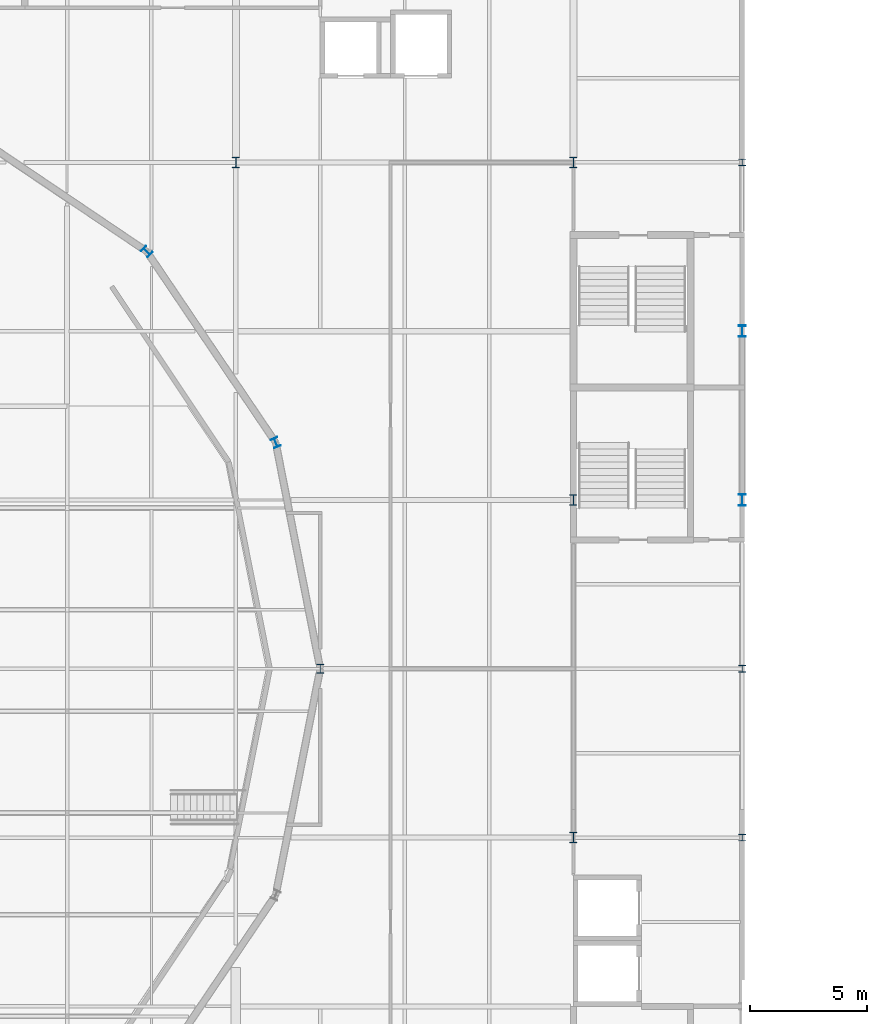
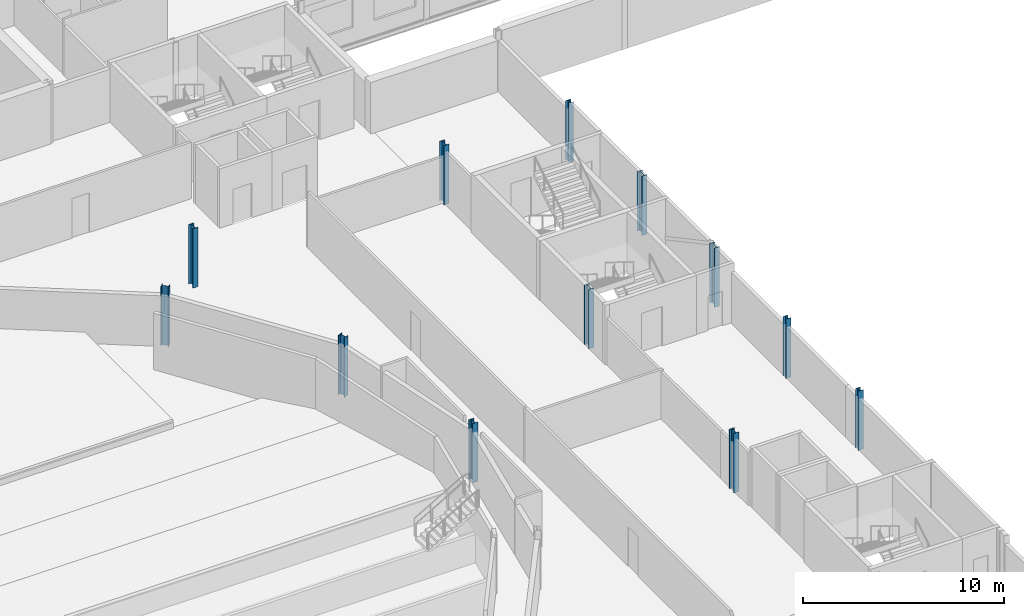
# One storey, part 12 of 90: 12 columns.
"""IFC4 building model written with IfcOpenShell, lengths in metres."""

from ifc_helpers import new_model, si_unit, direction, frame, origin, origin_2d, place, context, subcontext, project, spatial, i_section, extrude, material, material_profile, profile_set, type_object, element, save


model = new_model("IFC4")

# Units and contexts
model_context = context("Model", 3, precision=1e-05, world=origin(), true_north=direction((0.0, 1.0)))
body_context = subcontext(model_context, "Body", "Model", "MODEL_VIEW")
ifc_project = project(units=[si_unit("LENGTHUNIT", "METRE"), si_unit("AREAUNIT", "SQUARE_METRE"), si_unit("VOLUMEUNIT", "CUBIC_METRE"), si_unit("PLANEANGLEUNIT", "RADIAN"), si_unit("MASSUNIT", "GRAM", prefix="KILO")], contexts=[model_context])

# Site, building, storey
site_placement = place(None, origin())
site = spatial("IfcSite", under=ifc_project, at=site_placement, CompositionType="ELEMENT")
building_placement = place(site_placement, origin())
building = spatial("IfcBuilding", under=site, at=building_placement, Name="Kupolbacken Congress Centre", CompositionType="ELEMENT")
storey_placement = place(building_placement, frame((0.0, 0.0, 3.60009765625)))
storey = spatial("IfcBuildingStorey", under=building, at=storey_placement, Name="L01", CompositionType="ELEMENT", Elevation=3.60009765625)

# Columns
ifc_material_1 = material(Name="Steel S355", Category="steel")
ifc_material_profile_1 = material_profile(ifc_material_1, i_section(OverallWidth=0.300048828125, OverallDepth=0.449951171875, WebThickness=0.013916015625, FlangeThickness=0.02587890625, FilletRadius=0.027099609375, at=origin_2d()), Name="HEB 450")
ifc_profile_set_1 = profile_set([ifc_material_profile_1], Name="Steel S355")
column_type_1 = type_object("IfcColumnType", Name="C03 column HEB 450", PredefinedType="COLUMN", material=ifc_profile_set_1)
for number, where, z_axis, x_axis, name in (
    (1, (79.199951171875, 79.199951171875, 0.0), (0.0, 0.0, 1.0), (1.0, 0.0, 0.0), "S/col/C-P-12M/L01"),
    (2, (79.199951171875, 93.60009765625, 0.0), (0.0, 0.0, 1.0), (1.0, 0.0, 0.0), "S/col/C-P-12P/L01"),
    (3, (79.199951171875, 108.0, 0.0), (0.0, 0.0, 1.0), (1.0, 0.0, 0.0), "S/col/C-P-12R/L01"),
    (4, (64.800048828125, 108.0, 0.0), (0.0, 0.0, 1.0), (1.0, 0.0, 0.0), "S/col/C-P-10R/L01"),
):
    element("IfcColumn", number, at=place(storey_placement, frame(where, z_axis=z_axis, x_axis=x_axis)), inside=storey, type_object=column_type_1, Name=name, PredefinedType="COLUMN", context=body_context, shape_type="SweptSolid", body=[
        extrude(i_section(OverallWidth=0.300048828125, OverallDepth=0.449951171875, WebThickness=0.013916015625, FlangeThickness=0.02587890625, FilletRadius=0.027099609375, at=origin_2d()), origin(), (0.0, 0.0, 1.0), 3.599853515625),
    ])
ifc_material_2 = material(Name="Steel S355", Category="steel")
ifc_material_profile_2 = material_profile(ifc_material_2, i_section(OverallWidth=0.300048828125, OverallDepth=0.39990234375, WebThickness=0.013427734375, FlangeThickness=0.02392578125, FilletRadius=0.027099609375, at=origin_2d()), Name="HEB 400")
ifc_profile_set_2 = profile_set([ifc_material_profile_2], Name="Steel S355")
column_type_2 = type_object("IfcColumnType", Name="C08 column HEB 400", PredefinedType="COLUMN", material=ifc_profile_set_2)
for number, where, z_axis, x_axis, name in (
    (5, (68.39990234375, 86.39990234375, 0.0), (0.0, 0.0, 1.0), (1.0, 0.0, 0.0), "S/col/C-D01/L01"),
    (6, (66.5, 96.050048828125, 0.0), (0.0, 0.0, 1.0), (0.923896018243, 0.382643629864, 0.0), "S/col/C-D02/L01"),
    (7, (61.0, 104.199951171875, 0.0), (0.0, 0.0, 1.0), (0.707106781187, 0.707106781187, 0.0), "S/col/C-D03/L01"),
):
    element("IfcColumn", number, at=place(storey_placement, frame(where, z_axis=z_axis, x_axis=x_axis)), inside=storey, type_object=column_type_2, Name=name, PredefinedType="COLUMN", context=body_context, shape_type="SweptSolid", body=[
        extrude(i_section(OverallWidth=0.300048828125, OverallDepth=0.39990234375, WebThickness=0.013427734375, FlangeThickness=0.02392578125, FilletRadius=0.027099609375, at=origin_2d()), origin(), (0.0, 0.0, 1.0), 3.599853515625),
    ])
ifc_material_3 = material(Name="Steel S355", Category="steel")
ifc_material_profile_3 = material_profile(ifc_material_3, i_section(OverallWidth=0.300048828125, OverallDepth=0.2900390625, WebThickness=0.008544921875, FlangeThickness=0.013916015625, FilletRadius=0.027099609375, at=origin_2d()), Name="HEA 300")
ifc_profile_set_3 = profile_set([ifc_material_profile_3], Name="Steel S355")
column_type_3 = type_object("IfcColumnType", Name="C09 column HEA 300", PredefinedType="COLUMN", material=ifc_profile_set_3)
for number, where, z_axis, x_axis, name in (
    (8, (86.39990234375, 79.199951171875, 0.0), (0.0, 0.0, 1.0), (1.0, 0.0, 0.0), "S/col/C-H-PW06/L01"),
    (9, (86.39990234375, 86.39990234375, 0.0), (0.0, 0.0, 1.0), (1.0, 0.0, 0.0), "S/col/C-H-PW07/L01"),
    (10, (86.39990234375, 108.0, 0.0), (0.0, 0.0, 1.0), (1.0, 0.0, 0.0), "S/col/C-H-PW10/L01"),
):
    element("IfcColumn", number, at=place(storey_placement, frame(where, z_axis=z_axis, x_axis=x_axis)), inside=storey, type_object=column_type_3, Name=name, PredefinedType="COLUMN", context=body_context, shape_type="SweptSolid", body=[
        extrude(i_section(OverallWidth=0.300048828125, OverallDepth=0.2900390625, WebThickness=0.008544921875, FlangeThickness=0.013916015625, FilletRadius=0.027099609375, at=origin_2d()), origin(), (0.0, 0.0, 1.0), 3.599853515625),
    ])
ifc_material_4 = material(Name="Steel S355", Category="steel")
ifc_material_profile_4 = material_profile(ifc_material_4, i_section(OverallWidth=0.300048828125, OverallDepth=0.489990234375, WebThickness=0.011962890625, FlangeThickness=0.02294921875, FilletRadius=0.027099609375, at=origin_2d()), Name="HEA 500")
ifc_profile_set_4 = profile_set([ifc_material_profile_4], Name="Steel S355")
column_type_4 = type_object("IfcColumnType", Name="C14 column HEA 500", PredefinedType="COLUMN", material=ifc_profile_set_4)
for number, where, z_axis, x_axis, name in (
    (11, (86.39990234375, 93.60009765625, 0.0), (0.0, 0.0, 1.0), (1.0, 0.0, 0.0), "S/col/C-H-PW08/L01"),
    (12, (86.39990234375, 100.800048828125, 0.0), (0.0, 0.0, 1.0), (1.0, 0.0, 0.0), "S/col/C-H-PW09/L01"),
):
    element("IfcColumn", number, at=place(storey_placement, frame(where, z_axis=z_axis, x_axis=x_axis)), inside=storey, type_object=column_type_4, Name=name, PredefinedType="COLUMN", context=body_context, shape_type="SweptSolid", body=[
        extrude(i_section(OverallWidth=0.300048828125, OverallDepth=0.489990234375, WebThickness=0.011962890625, FlangeThickness=0.02294921875, FilletRadius=0.027099609375, at=origin_2d()), origin(), (0.0, 0.0, 1.0), 3.599853515625),
    ])

save(model, "model.ifc")
